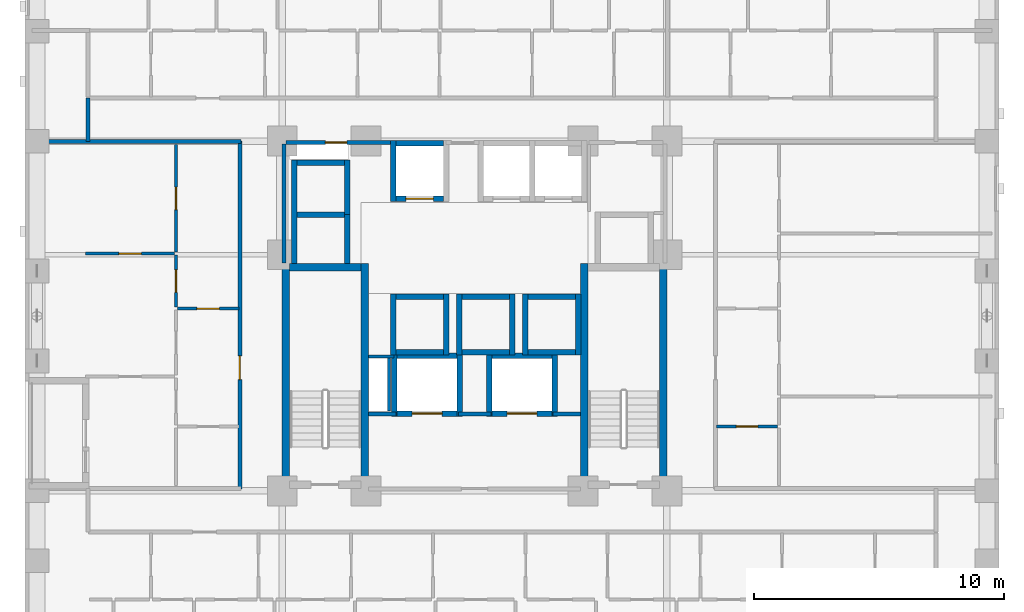
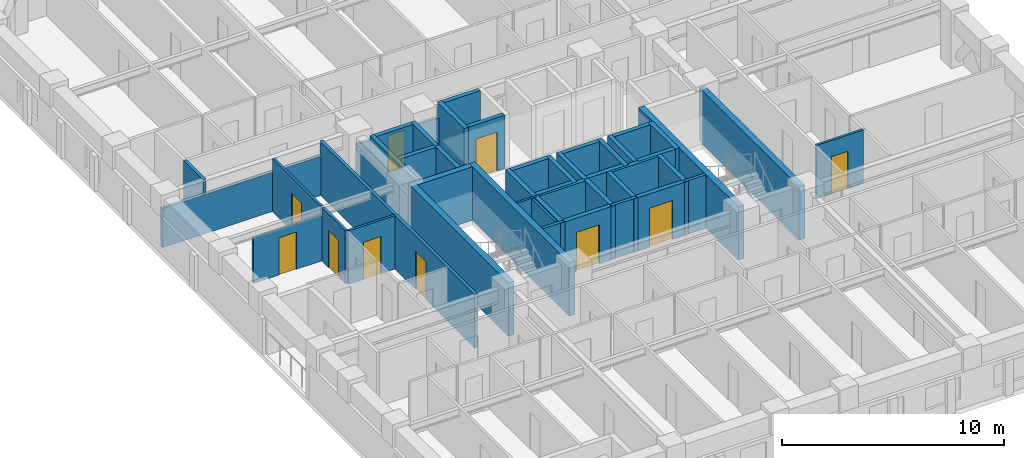
# One storey, part 5 of 14: 48 walls, 10 doors, 10 openings.
"""IFC4 building model written with IfcOpenShell, lengths in metres."""

import ifcopenshell
import ifcopenshell.guid

model = None  # the IFC model being written
_history = None  # IfcOwnerHistory: only IFC2X3 demands one
_inside = {}  # id of a spatial element -> (the spatial element, [elements in it])
_under = {}  # id of a project, library or spatial element -> (it, [spatial elements below it])
_declared = {}  # id of a project -> (the project, [libraries it declares])
_typed = {}  # id of a type object -> (the type object, [elements of that type])
_made_of = {}  # id of a material, layer set ... -> (it, [elements and type objects made of it])


def new_model(schema):
    """Start an empty IFC model of exactly this schema.

    Asked for "IFC4X3", IfcOpenShell would pick the latest addendum, in which some entities
    have other attributes; the version numbers below select the first issue.
    IFC2X3 requires an IfcOwnerHistory on every rooted entity: one is made here for all.
    """
    global model, _history
    if schema == "IFC4X3":
        model = ifcopenshell.file(schema_version=(4, 3, 0, 0))
    else:
        model = ifcopenshell.file(schema=schema)
    _inside.clear()
    _under.clear()
    _declared.clear()
    _typed.clear()
    _made_of.clear()
    _history = None
    if model.schema == "IFC2X3":
        org = make("IfcOrganization", Name="unknown")
        user = make(
            "IfcPersonAndOrganization",
            ThePerson=make("IfcPerson", FamilyName="unknown"),
            TheOrganization=org,
        )
        app = make(
            "IfcApplication",
            ApplicationDeveloper=org,
            Version="unknown",
            ApplicationFullName="unknown",
            ApplicationIdentifier="unknown",
        )
        _history = make(
            "IfcOwnerHistory",
            OwningUser=user,
            OwningApplication=app,
            ChangeAction="ADDED",
            CreationDate=0,
        )
    return model


def make(cls, **values):
    """One entity of the class cls with the attributes given. An attribute that is None is left unset."""
    return model.create_entity(
        cls, **{name: value for name, value in values.items() if value is not None}
    )


def rooted(cls, **values):
    """An entity with a GlobalId (a new one), such as an element, a storey or a relation."""
    return make(cls, GlobalId=ifcopenshell.guid.new(), OwnerHistory=_history, **values)


def si_unit(unit_type, name, prefix=None):
    """IfcSIUnit, for example si_unit("LENGTHUNIT", "METRE", prefix="MILLI")."""
    return make("IfcSIUnit", UnitType=unit_type, Prefix=prefix, Name=name)


def derived_unit(unit_type, elements):
    """IfcDerivedUnit: a product of units, each with its exponent."""
    return make(
        "IfcDerivedUnit",
        Elements=[
            make("IfcDerivedUnitElement", Unit=unit, Exponent=power)
            for unit, power in elements
        ],
        UnitType=unit_type,
    )


def assignment(units):
    """IfcUnitAssignment: the units of a project."""
    return None if units is None else make("IfcUnitAssignment", Units=units)


def point(xyz):
    """IfcCartesianPoint."""
    return None if xyz is None else make("IfcCartesianPoint", Coordinates=xyz)


def direction(xyz):
    """IfcDirection."""
    return None if xyz is None else make("IfcDirection", DirectionRatios=xyz)


def frame(location, z_axis=None, x_axis=None):
    """IfcAxis2Placement3D, a coordinate frame: its origin and axes. An axis left out is left unset."""
    return make(
        "IfcAxis2Placement3D",
        Location=point(location),
        Axis=direction(z_axis),
        RefDirection=direction(x_axis),
    )


def frame_2d(location, x_axis=None):
    """IfcAxis2Placement2D, a coordinate frame in the plane: its origin and x axis."""
    return make(
        "IfcAxis2Placement2D", Location=point(location), RefDirection=direction(x_axis)
    )


def origin():
    """The frame at (0, 0, 0) with its axes left unset."""
    return frame((0.0, 0.0, 0.0))


def place(relative_to, where):
    """IfcLocalPlacement: puts the frame where relative to a parent placement (None: the world)."""
    return make(
        "IfcLocalPlacement", PlacementRelTo=relative_to, RelativePlacement=where
    )


def context(
    kind, dimensions, precision=None, world=None, true_north=None, identifier=None
):
    """IfcGeometricRepresentationContext, for example the 3D "Model" context."""
    return make(
        "IfcGeometricRepresentationContext",
        ContextIdentifier=identifier,
        ContextType=kind,
        CoordinateSpaceDimension=dimensions,
        Precision=precision,
        WorldCoordinateSystem=world,
        TrueNorth=true_north,
    )


def subcontext(parent, identifier, kind, view, scale=None):
    """IfcGeometricRepresentationSubContext, for example "Body" below "Model"."""
    return make(
        "IfcGeometricRepresentationSubContext",
        ContextIdentifier=identifier,
        ContextType=kind,
        ParentContext=parent,
        TargetScale=scale,
        TargetView=view,
    )


def project(units=None, contexts=None):
    """IfcProject with its units and contexts."""
    return rooted(
        "IfcProject",
        Name="project",
        RepresentationContexts=contexts,
        UnitsInContext=assignment(units),
    )


def spatial(cls, under=None, at=None, **own):
    """A site, building, storey or space (cls), placed at a placement, below another one or the project."""
    s = rooted(cls, ObjectPlacement=at, **own)
    if under is not None:
        _under.setdefault(under.id(), (under, []))[1].append(s)
    return s


def profile(cls, at=None, kind="AREA", **sizes):
    """A parametric profile (cls). Its sizes go by their IFC names, for example OverallWidth=200.0."""
    return make(cls, ProfileType=kind, Position=at, **sizes)


def rectangle(**sizes):
    """IfcRectangleProfileDef."""
    return profile("IfcRectangleProfileDef", **sizes)


def extrude(swept, where, along, depth):
    """IfcExtrudedAreaSolid: the profile swept, set in the frame where, extruded along a direction by depth."""
    return make(
        "IfcExtrudedAreaSolid",
        SweptArea=swept,
        Position=where,
        ExtrudedDirection=direction(along),
        Depth=depth,
    )


def shape(context_of_items, identifier, shape_type, items):
    """IfcShapeRepresentation: the items that make up one representation, for example the "Body"."""
    return make(
        "IfcShapeRepresentation",
        ContextOfItems=context_of_items,
        RepresentationIdentifier=identifier,
        RepresentationType=shape_type,
        Items=items,
    )


def material(Name=None, Category=None):
    """IfcMaterial."""
    return make("IfcMaterial", Name=Name, Category=Category)


def layer(
    of_material, thickness, ventilated=None, Name=None, Category=None, Priority=None
):
    """IfcMaterialLayer: one layer of a wall or slab, of a material (None: an air gap)."""
    return make(
        "IfcMaterialLayer",
        Material=of_material,
        LayerThickness=thickness,
        IsVentilated=ventilated,
        Name=Name,
        Category=Category,
        Priority=Priority,
    )


def layer_set(layers, Name=None):
    """IfcMaterialLayerSet."""
    return make("IfcMaterialLayerSet", MaterialLayers=layers, LayerSetName=Name)


def made_of(thing, what):
    """Note that an element or type object is made of a material, layer set ...; save() writes the relation."""
    if what is not None:
        _made_of.setdefault(what.id(), (what, []))[1].append(thing)
    return thing


def type_object(cls, material=None, **own):
    """A type object (cls), such as IfcWallType, which elements share."""
    return made_of(rooted(cls, **own), material)


def element(
    cls,
    number,
    at=None,
    inside=None,
    cuts=None,
    type_object=None,
    material=None,
    context=None,
    identifier="Body",
    shape_type=None,
    held_by="IfcProductDefinitionShape",
    body=None,
    shapes=None,
    **own,
):
    """One element of the class cls, such as IfcWall. Its Tag is "e" and its number.

    at: its placement. inside: the storey or other place that contains it. cuts: it is an
    opening in that element (IfcRelVoidsElement). A single representation is given by context,
    identifier, shape_type and body (its items); several are given by shapes. held_by: the class
    of the entity that holds the representations. save() writes the other relations.
    """
    e = rooted(cls, Tag="e%d" % number, ObjectPlacement=at, **own)
    if body is not None:
        shapes = [shape(context, identifier, shape_type, body)]
    if shapes is not None:
        e.Representation = make(held_by, Representations=shapes)
    if inside is not None:
        _inside.setdefault(inside.id(), (inside, []))[1].append(e)
    if cuts is not None:
        rooted(
            "IfcRelVoidsElement", RelatingBuildingElement=cuts, RelatedOpeningElement=e
        )
    if type_object is not None:
        _typed.setdefault(type_object.id(), (type_object, []))[1].append(e)
    return made_of(e, material)


def fill(opening, filler):
    """IfcRelFillsElement: the door or window that sits in an opening."""
    return rooted(
        "IfcRelFillsElement",
        RelatingOpeningElement=opening,
        RelatedBuildingElement=filler,
    )


def aggregate(whole, parts):
    """IfcRelAggregates: a whole, such as a stair, and the parts it consists of."""
    return rooted("IfcRelAggregates", RelatingObject=whole, RelatedObjects=parts)


def save(model, path):
    """Write the relations noted so far, then the file.

    IfcRelAggregates (storeys below a building ...), IfcRelContainedInSpatialStructure (elements
    in a storey), IfcRelDefinesByType, IfcRelAssociatesMaterial and IfcRelDeclares: one each for
    every whole, place, type object, material and project.
    """
    for whole, parts in _under.values():
        aggregate(whole, parts)
    for where, things in _inside.values():
        rooted(
            "IfcRelContainedInSpatialStructure",
            RelatedElements=things,
            RelatingStructure=where,
        )
    for kind, things in _typed.values():
        rooted("IfcRelDefinesByType", RelatedObjects=things, RelatingType=kind)
    for what, things in _made_of.values():
        rooted("IfcRelAssociatesMaterial", RelatedObjects=things, RelatingMaterial=what)
    for by, libraries in _declared.values():
        rooted("IfcRelDeclares", RelatingContext=by, RelatedDefinitions=libraries)
    model.write(path)


model = new_model("IFC4")

# Units and contexts
model_context = context("Model", 3, precision=1e-05, world=origin(), true_north=direction((0.0, 1.0)))
body_context = subcontext(model_context, "Body", "Model", "MODEL_VIEW")
ifc_project = project(units=[si_unit("LENGTHUNIT", "METRE"), si_unit("AREAUNIT", "SQUARE_METRE"), si_unit("VOLUMEUNIT", "CUBIC_METRE"), si_unit("PLANEANGLEUNIT", "RADIAN"), si_unit("MASSUNIT", "GRAM", prefix="KILO"), derived_unit("THERMALTRANSMITTANCEUNIT", [(si_unit("MASSUNIT", "GRAM", prefix="KILO"), 1), (si_unit("TIMEUNIT", "SECOND"), -3), (si_unit("THERMODYNAMICTEMPERATUREUNIT", "KELVIN"), -1)])], contexts=[model_context])

# Site, building, storey
site_placement = place(None, origin())
site = spatial("IfcSite", under=ifc_project, at=site_placement, CompositionType="ELEMENT")
building_placement = place(site_placement, origin())
building = spatial("IfcBuilding", under=site, at=building_placement, Name="Korrvale Station Residences", CompositionType="ELEMENT")
storey_placement = place(building_placement, frame((0.0, 0.0, 29.0)))
storey = spatial("IfcBuildingStorey", under=building, at=storey_placement, Name="L06", CompositionType="ELEMENT", Elevation=29.0)

# Walls
ifc_material_1 = material(Name="Concrete C70/85", Category="concrete")
ifc_layer_1 = layer(ifc_material_1, 0.300048828125, Name="Concrete C70/85")
ifc_layer_set_1 = layer_set([ifc_layer_1], Name="Concrete C70/85")
wall_type_1 = type_object("IfcWallType", Name="WAL-CORE-300-C70", PredefinedType="SHEAR", material=ifc_layer_set_1)
for number, where, z_axis, x_axis, name in (
    (1, (17.949951171875, 15.10009765625, 0.0), (0.0, 0.0, 1.0), (0.0, 1.0, 0.0), "L06 ST-1 Core Shear Wall West"),
    (2, (21.10009765625, 15.10009765625, 0.0), (0.0, 0.0, 1.0), (0.0, 1.0, 0.0), "L06 ST-1 Core Shear Wall East"),
):
    element("IfcWall", number, at=place(storey_placement, frame(where, z_axis=z_axis, x_axis=x_axis)), inside=storey, type_object=wall_type_1, Name=name, PredefinedType="SHEAR", context=body_context, shape_type="SweptSolid", body=[
        extrude(rectangle(XDim=9.0, YDim=0.300048828125, at=frame_2d((4.5, 0.0))), origin(), (0.0, 0.0, 1.0), 2.93994140625),
    ])
wall_1_placement = place(storey_placement, frame((18.10009765625, 23.949951171875, 0.0), z_axis=(0.0, 0.0, 1.0), x_axis=(1.0, 0.0, 0.0)))
element("IfcWall", 3, at=wall_1_placement, inside=storey, type_object=wall_type_1, Name="L06 ST-1 Core Shear Wall North", PredefinedType="SHEAR", context=body_context, shape_type="SweptSolid", body=[
    extrude(rectangle(XDim=2.849853515625, YDim=0.300048828125, at=frame_2d((1.4248046875, 0.0))), origin(), (0.0, 0.0, 1.0), 2.93994140625),
])
for number, where, z_axis, x_axis, name in (
    (4, (29.89990234375, 15.10009765625, 0.0), (0.0, 0.0, 1.0), (0.0, 1.0, 0.0), "L06 ST-2 Core Shear Wall West"),
    (5, (33.050048828125, 15.10009765625, 0.0), (0.0, 0.0, 1.0), (0.0, 1.0, 0.0), "L06 ST-2 Core Shear Wall East"),
):
    element("IfcWall", number, at=place(storey_placement, frame(where, z_axis=z_axis, x_axis=x_axis)), inside=storey, type_object=wall_type_1, Name=name, PredefinedType="SHEAR", context=body_context, shape_type="SweptSolid", body=[
        extrude(rectangle(XDim=9.0, YDim=0.300048828125, at=frame_2d((4.5, 0.0))), origin(), (0.0, 0.0, 1.0), 2.93994140625),
    ])
ifc_material_2 = material(Name="Acoustic steel-stud gypsum board partition", Category="steel")
ifc_layer_2 = layer(ifc_material_2, 0.1201171875, Name="Acoustic steel-stud gypsum board partition")
ifc_layer_set_2 = layer_set([ifc_layer_2], Name="Acoustic steel-stud gypsum board partition")
wall_type_2 = type_object("IfcWallType", Name="WAL-PART-125", PredefinedType="PARTITIONING", material=ifc_layer_set_2)
wall_2_placement = place(storey_placement, frame((22.080078125, 18.199951171875, 0.0), z_axis=(0.0, 0.0, 1.0), x_axis=(0.0, 1.0, 0.0)))
element("IfcWall", 6, at=wall_2_placement, inside=storey, type_object=wall_type_2, Name="L06 Core Partition CW-RSWT", PredefinedType="PARTITIONING", context=body_context, shape_type="SweptSolid", body=[
    extrude(rectangle(XDim=2.1201171875, YDim=0.1201171875, at=frame_2d((1.06005859375, 0.0))), origin(), (0.0, 0.0, 1.0), 2.93994140625),
])
wall_3_placement = place(storey_placement, frame((22.280029296875, 20.3798828125, 0.0), z_axis=(0.0, 0.0, 1.0), x_axis=(-1.0, 0.0, 0.0)))
element("IfcWall", 7, at=wall_3_placement, inside=storey, type_object=wall_type_2, Name="L06 Core Partition CW-RSWT-N", PredefinedType="PARTITIONING", context=body_context, shape_type="SweptSolid", body=[
    extrude(rectangle(XDim=1.02001953125, YDim=0.1201171875, at=frame_2d((0.510009765625, 0.0))), origin(), (0.0, 0.0, 1.0), 2.93994140625),
])

# Wall, opening, door
wall_4_placement = place(storey_placement, frame((13.610107421875, 22.2900390625, 0.0), z_axis=(0.0, 0.0, 1.0), x_axis=(1.0, 0.0, 0.0)))
wall_4 = element("IfcWall", 8, at=wall_4_placement, inside=storey, type_object=wall_type_2, Name="L06 Suite Partition U04-H02", PredefinedType="PARTITIONING", context=body_context, shape_type="SweptSolid", body=[
    extrude(rectangle(XDim=2.449951171875, YDim=0.1201171875, at=frame_2d((1.22509765625, 0.0))), origin(), (0.0, 0.0, 1.0), 2.93994140625),
])
opening_1_placement = place(wall_4_placement, frame((0.77490234375, 0.0, 0.0)))
opening_1 = element("IfcOpeningElement", 9, at=opening_1_placement, cuts=wall_4, Name="Opening DI-900", PredefinedType="OPENING", context=body_context, shape_type="SweptSolid", body=[
    extrude(rectangle(XDim=0.89990234375, YDim=2.050048828125, at=frame_2d((0.449951171875, 1.02490234375))), frame((0.0, 0.070068359375, 0.0), z_axis=(0.0, -1.0, 0.0), x_axis=(1.0, 0.0, 0.0)), (0.0, 0.0, 1.0), 0.14013671875),
])
ifc_material_3 = material(Name="Painted solid-core timber interior room door", Category="wood")
door_type_1 = type_object("IfcDoorType", Name="DR-INT-900", OperationType="NOTDEFINED", PredefinedType="DOOR", material=ifc_material_3)
door_1_placement = place(opening_1_placement, origin())
door_1 = element("IfcDoor", 10, at=door_1_placement, inside=storey, type_object=door_type_1, Name="L06 Apartment 2BR L06-U04 Wardrobe Storage Room Door", OperationType="SINGLE_SWING_RIGHT", OverallHeight=2.050048828125, OverallWidth=0.89990234375, PredefinedType="DOOR", context=body_context, shape_type="SweptSolid", body=[
    extrude(rectangle(XDim=0.89990234375, YDim=2.050048828125, at=frame_2d((0.449951171875, 1.02490234375))), frame((0.0, 0.02490234375, 0.0), z_axis=(0.0, -1.0, 0.0), x_axis=(1.0, 0.0, 0.0)), (0.0, 0.0, 1.0), 0.050048828125),
])
fill(opening_1, door_1)

wall_5_placement = place(storey_placement, frame((13.550048828125, 22.35009765625, 0.0), z_axis=(0.0, 0.0, 1.0), x_axis=(0.0, 1.0, 0.0)))
wall_5 = element("IfcWall", 11, at=wall_5_placement, inside=storey, type_object=wall_type_2, Name="L06 Suite Partition U04-V04", PredefinedType="PARTITIONING", context=body_context, shape_type="SweptSolid", body=[
    extrude(rectangle(XDim=2.081787109375, YDim=0.1201171875, at=frame_2d((1.041015625, 0.0))), origin(), (0.0, 0.0, 1.0), 2.93994140625),
])
opening_2_placement = place(wall_5_placement, frame((0.591064453125, 0.0, 0.0)))
opening_2 = element("IfcOpeningElement", 12, at=opening_2_placement, cuts=wall_5, Name="Opening DI-900", PredefinedType="OPENING", context=body_context, shape_type="SweptSolid", body=[
    extrude(rectangle(XDim=0.89990234375, YDim=2.050048828125, at=frame_2d((0.449951171875, 1.02490234375))), frame((0.0, 0.070068359375, 0.0), z_axis=(0.0, -1.0, 0.0), x_axis=(1.0, 0.0, 0.0)), (0.0, 0.0, 1.0), 0.14013671875),
])
door_2_placement = place(opening_2_placement, origin())
door_2 = element("IfcDoor", 13, at=door_2_placement, inside=storey, type_object=door_type_1, Name="L06 Apartment 2BR L06-U04 Wardrobe Storage Room Door", OperationType="SINGLE_SWING_LEFT", OverallHeight=2.050048828125, OverallWidth=0.89990234375, PredefinedType="DOOR", context=body_context, shape_type="SweptSolid", body=[
    extrude(rectangle(XDim=0.89990234375, YDim=2.050048828125, at=frame_2d((0.449951171875, 1.02490234375))), frame((0.0, 0.02490234375, 0.0), z_axis=(0.0, -1.0, 0.0), x_axis=(1.0, 0.0, 0.0)), (0.0, 0.0, 1.0), 0.050048828125),
])
fill(opening_2, door_2)

wall_6_placement = place(storey_placement, frame((13.550048828125, 24.552001953125, 0.0), z_axis=(0.0, 0.0, 1.0), x_axis=(0.0, 1.0, 0.0)))
wall_6 = element("IfcWall", 14, at=wall_6_placement, inside=storey, type_object=wall_type_2, Name="L06 Suite Partition U04-V05", PredefinedType="PARTITIONING", context=body_context, shape_type="SweptSolid", body=[
    extrude(rectangle(XDim=4.30810546875, YDim=0.1201171875, at=frame_2d((2.154052734375, 0.0))), origin(), (0.0, 0.0, 1.0), 2.93994140625),
])
opening_3_placement = place(wall_6_placement, frame((1.7041015625, 0.0, 0.0)))
opening_3 = element("IfcOpeningElement", 15, at=opening_3_placement, cuts=wall_6, Name="Opening DI-900", PredefinedType="OPENING", context=body_context, shape_type="SweptSolid", body=[
    extrude(rectangle(XDim=0.89990234375, YDim=2.050048828125, at=frame_2d((0.449951171875, 1.02490234375))), frame((0.0, 0.070068359375, 0.0), z_axis=(0.0, -1.0, 0.0), x_axis=(1.0, 0.0, 0.0)), (0.0, 0.0, 1.0), 0.14013671875),
])
door_3_placement = place(opening_3_placement, origin())
door_3 = element("IfcDoor", 16, at=door_3_placement, inside=storey, type_object=door_type_1, Name="L06 Apartment 2BR L06-U04 Wardrobe Storage Room Door", OperationType="SINGLE_SWING_RIGHT", OverallHeight=2.050048828125, OverallWidth=0.89990234375, PredefinedType="DOOR", context=body_context, shape_type="SweptSolid", body=[
    extrude(rectangle(XDim=0.89990234375, YDim=2.050048828125, at=frame_2d((0.449951171875, 1.02490234375))), frame((0.0, 0.02490234375, 0.0), z_axis=(0.0, -1.0, 0.0), x_axis=(1.0, 0.0, 0.0)), (0.0, 0.0, 1.0), 0.050048828125),
])
fill(opening_3, door_3)

wall_7_placement = place(storey_placement, frame((9.929931640625, 24.491943359375, 0.0), z_axis=(0.0, 0.0, 1.0), x_axis=(1.0, 0.0, 0.0)))
wall_7 = element("IfcWall", 17, at=wall_7_placement, inside=storey, type_object=wall_type_2, Name="L06 Suite Partition U04-H45", PredefinedType="PARTITIONING", context=body_context, shape_type="SweptSolid", body=[
    extrude(rectangle(XDim=3.56005859375, YDim=0.1201171875, at=frame_2d((1.780029296875, 0.0))), origin(), (0.0, 0.0, 1.0), 2.508056640625),
])
opening_4_placement = place(wall_7_placement, frame((1.330078125, 0.0, 0.0)))
opening_4 = element("IfcOpeningElement", 18, at=opening_4_placement, cuts=wall_7, Name="Opening DI-900", PredefinedType="OPENING", context=body_context, shape_type="SweptSolid", body=[
    extrude(rectangle(XDim=0.89990234375, YDim=2.050048828125, at=frame_2d((0.449951171875, 1.02490234375))), frame((0.0, 0.070068359375, 0.0), z_axis=(0.0, -1.0, 0.0), x_axis=(1.0, 0.0, 0.0)), (0.0, 0.0, 1.0), 0.14013671875),
])
door_4_placement = place(opening_4_placement, origin())
door_4 = element("IfcDoor", 19, at=door_4_placement, inside=storey, type_object=door_type_1, Name="L06 Apartment 2BR L06-U04 Living and Dining Room Door", OperationType="SINGLE_SWING_LEFT", OverallHeight=2.050048828125, OverallWidth=0.89990234375, PredefinedType="DOOR", context=body_context, shape_type="SweptSolid", body=[
    extrude(rectangle(XDim=0.89990234375, YDim=2.050048828125, at=frame_2d((0.449951171875, 1.02490234375))), frame((0.0, 0.02490234375, 0.0), z_axis=(0.0, -1.0, 0.0), x_axis=(1.0, 0.0, 0.0)), (0.0, 0.0, 1.0), 0.050048828125),
])
fill(opening_4, door_4)

wall_8_placement = place(storey_placement, frame((35.18994140625, 17.570068359375, 0.0), z_axis=(0.0, 0.0, 1.0), x_axis=(1.0, 0.0, 0.0)))
wall_8 = element("IfcWall", 20, at=wall_8_placement, inside=storey, type_object=wall_type_2, Name="L06 Suite Partition U05-H12", PredefinedType="PARTITIONING", context=body_context, shape_type="SweptSolid", body=[
    extrude(rectangle(XDim=2.449951171875, YDim=0.1201171875, at=frame_2d((1.22509765625, 0.0))), origin(), (0.0, 0.0, 1.0), 2.93994140625),
])
opening_5_placement = place(wall_8_placement, frame((0.794921875, 0.0, 0.0)))
opening_5 = element("IfcOpeningElement", 21, at=opening_5_placement, cuts=wall_8, Name="Opening DB-860", PredefinedType="OPENING", context=body_context, shape_type="SweptSolid", body=[
    extrude(rectangle(XDim=0.860107421875, YDim=2.050048828125, at=frame_2d((0.43017578125, 1.02490234375))), frame((0.0, 0.070068359375, 0.0), z_axis=(0.0, -1.0, 0.0), x_axis=(1.0, 0.0, 0.0)), (0.0, 0.0, 1.0), 0.14013671875),
])
ifc_material_4 = material(Name="Moisture-resistant solid-core bathroom door", Category="timber")
door_type_2 = type_object("IfcDoorType", Name="DR-BATH-860", OperationType="NOTDEFINED", PredefinedType="DOOR", material=ifc_material_4)
door_5_placement = place(opening_5_placement, origin())
door_5 = element("IfcDoor", 22, at=door_5_placement, inside=storey, type_object=door_type_2, Name="L06 Apartment 2BR L06-U05 Bathroom Door", OperationType="SINGLE_SWING_LEFT", OverallHeight=2.050048828125, OverallWidth=0.860107421875, PredefinedType="DOOR", context=body_context, shape_type="SweptSolid", body=[
    extrude(rectangle(XDim=0.860107421875, YDim=2.050048828125, at=frame_2d((0.43017578125, 1.02490234375))), frame((0.0, 0.02490234375, 0.0), z_axis=(0.0, -1.0, 0.0), x_axis=(1.0, 0.0, 0.0)), (0.0, 0.0, 1.0), 0.050048828125),
])
fill(opening_5, door_5)

# Walls
ifc_material_5 = material(Name="Fire-rated twin-stud gypsum and mineral wool shaftwall assembly", Category="gypsum")
ifc_layer_3 = layer(ifc_material_5, 0.159912109375, Name="Fire-rated twin-stud gypsum and mineral wool shaftwall assembly")
ifc_layer_set_3 = layer_set([ifc_layer_3], Name="Fire-rated twin-stud gypsum and mineral wool shaftwall assembly")
wall_type_3 = type_object("IfcWallType", Name="WAL-PART-200", PredefinedType="PARTITIONING", material=ifc_layer_set_3)
wall_9_placement = place(storey_placement, frame((21.25, 18.080078125, 0.0), z_axis=(0.0, 0.0, 1.0), x_axis=(1.0, 0.0, 0.0)))
element("IfcWall", 23, at=wall_9_placement, inside=storey, type_object=wall_type_3, Name="L06 Core Partition CW-FFL-N1", PredefinedType="PARTITIONING", context=body_context, shape_type="SweptSolid", body=[
    extrude(rectangle(XDim=1.10009765625, YDim=0.159912109375, at=frame_2d((0.550048828125, 0.0))), origin(), (0.0, 0.0, 1.0), 2.93994140625),
])
wall_10_placement = place(storey_placement, frame((24.85009765625, 18.080078125, 0.0), z_axis=(0.0, 0.0, 1.0), x_axis=(1.0, 0.0, 0.0)))
element("IfcWall", 24, at=wall_10_placement, inside=storey, type_object=wall_type_3, Name="L06 Core Partition CW-FFL-N2", PredefinedType="PARTITIONING", context=body_context, shape_type="SweptSolid", body=[
    extrude(rectangle(XDim=1.2998046875, YDim=0.159912109375, at=frame_2d((0.64990234375, 0.0))), origin(), (0.0, 0.0, 1.0), 2.93994140625),
])
wall_11_placement = place(storey_placement, frame((28.64990234375, 18.080078125, 0.0), z_axis=(0.0, 0.0, 1.0), x_axis=(1.0, 0.0, 0.0)))
element("IfcWall", 25, at=wall_11_placement, inside=storey, type_object=wall_type_3, Name="L06 Core Partition CW-FFL-N3", PredefinedType="PARTITIONING", context=body_context, shape_type="SweptSolid", body=[
    extrude(rectangle(XDim=1.10009765625, YDim=0.159912109375, at=frame_2d((0.550048828125, 0.0))), origin(), (0.0, 0.0, 1.0), 2.93994140625),
])
wall_12_placement = place(storey_placement, frame((17.8798828125, 24.1201171875, 0.0), z_axis=(0.0, 0.0, 1.0), x_axis=(0.0, 1.0, 0.0)))
element("IfcWall", 26, at=wall_12_placement, inside=storey, type_object=wall_type_3, Name="L06 Core Partition CW-W-N", PredefinedType="PARTITIONING", context=body_context, shape_type="SweptSolid", body=[
    extrude(rectangle(XDim=4.759765625, YDim=0.159912109375, at=frame_2d((2.3798828125, 0.0))), origin(), (0.0, 0.0, 1.0), 2.27490234375),
])

# Wall, opening, door
wall_13_placement = place(storey_placement, frame((17.9599609375, 28.949951171875, 0.0), z_axis=(0.0, 0.0, 1.0), x_axis=(1.0, 0.0, 0.0)))
wall_13 = element("IfcWall", 27, at=wall_13_placement, inside=storey, type_object=wall_type_3, Name="L06 Core Partition CW-NW", PredefinedType="PARTITIONING", context=body_context, shape_type="SweptSolid", body=[
    extrude(rectangle(XDim=4.2900390625, YDim=0.159912109375, at=frame_2d((2.14501953125, 0.0))), origin(), (0.0, 0.0, 1.0), 2.155029296875),
])
opening_6_placement = place(wall_13_placement, frame((1.570068359375, 0.0, 0.0)))
opening_6 = element("IfcOpeningElement", 28, at=opening_6_placement, cuts=wall_13, Name="Opening DB-860", PredefinedType="OPENING", context=body_context, shape_type="SweptSolid", body=[
    extrude(rectangle(XDim=0.860107421875, YDim=2.050048828125, at=frame_2d((0.43017578125, 1.02490234375))), frame((0.0, 0.08984375, 0.0), z_axis=(0.0, -1.0, 0.0), x_axis=(1.0, 0.0, 0.0)), (0.0, 0.0, 1.0), 0.179931640625),
])
door_6_placement = place(opening_6_placement, origin())
door_6 = element("IfcDoor", 29, at=door_6_placement, inside=storey, type_object=door_type_2, Name="L06 Electrical Riser Access Door", OperationType="SINGLE_SWING_RIGHT", OverallHeight=2.050048828125, OverallWidth=0.860107421875, PredefinedType="DOOR", context=body_context, shape_type="SweptSolid", body=[
    extrude(rectangle(XDim=0.860107421875, YDim=2.050048828125, at=frame_2d((0.43017578125, 1.02490234375))), frame((0.0, 0.02490234375, 0.0), z_axis=(0.0, -1.0, 0.0), x_axis=(1.0, 0.0, 0.0)), (0.0, 0.0, 1.0), 0.050048828125),
])
fill(opening_6, door_6)

# Walls
wall_14_placement = place(storey_placement, frame((10.02001953125, 28.97998046875, 0.0), z_axis=(0.0, 0.0, 1.0), x_axis=(0.0, 1.0, 0.0)))
element("IfcWall", 30, at=wall_14_placement, inside=storey, type_object=wall_type_3, Name="L06 Corridor North West Cap", PredefinedType="PARTITIONING", context=body_context, shape_type="SweptSolid", body=[
    extrude(rectangle(XDim=1.739990234375, YDim=0.159912109375, at=frame_2d((0.8701171875, 0.0))), origin(), (0.0, 0.0, 1.0), 2.93994140625),
])
wall_15_placement = place(storey_placement, frame((7.780029296875, 28.97998046875, 0.0), z_axis=(0.0, 0.0, 1.0), x_axis=(1.0, 0.0, 0.0)))
element("IfcWall", 31, at=wall_15_placement, inside=storey, type_object=wall_type_3, Name="L06 West Wing North Corridor Wall", PredefinedType="PARTITIONING", context=body_context, shape_type="SweptSolid", body=[
    extrude(rectangle(XDim=8.35986328125, YDim=0.159912109375, at=frame_2d((4.179931640625, 0.0))), origin(), (0.0, 0.0, 1.0), 2.155029296875),
])

# Wall, opening, door
wall_16_placement = place(storey_placement, frame((16.10009765625, 15.070068359375, 0.0), z_axis=(0.0, 0.0, 1.0), x_axis=(0.0, 1.0, 0.0)))
wall_16 = element("IfcWall", 32, at=wall_16_placement, inside=storey, type_object=wall_type_3, Name="L06 Rated Corridor Wall W", PredefinedType="PARTITIONING", context=body_context, shape_type="SweptSolid", body=[
    extrude(rectangle(XDim=13.929931640625, YDim=0.159912109375, at=frame_2d((6.96484375, 0.0))), origin(), (0.0, 0.0, 1.0), 2.93994140625),
])
opening_7_placement = place(wall_16_placement, frame((4.385009765625, 0.0, 0.0)))
opening_7 = element("IfcOpeningElement", 33, at=opening_7_placement, cuts=wall_16, Name="Opening UD-950", PredefinedType="OPENING", context=body_context, shape_type="SweptSolid", body=[
    extrude(rectangle(XDim=0.949951171875, YDim=2.10009765625, at=frame_2d((0.47509765625, 1.050048828125))), frame((0.0, 0.08984375, 0.0), z_axis=(0.0, -1.0, 0.0), x_axis=(1.0, 0.0, 0.0)), (0.0, 0.0, 1.0), 0.179931640625),
])
ifc_material_6 = material(Name="Solid-core acoustic oak apartment entrance door", Category="timber")
door_type_3 = type_object("IfcDoorType", Name="DR-UNIT-950", OperationType="NOTDEFINED", PredefinedType="DOOR", material=ifc_material_6)
door_7_placement = place(opening_7_placement, origin())
door_7 = element("IfcDoor", 34, at=door_7_placement, inside=storey, type_object=door_type_3, Name="L06 Apartment L06-U04 Entrance Door", OperationType="SINGLE_SWING_RIGHT", OverallHeight=2.10009765625, OverallWidth=0.949951171875, PredefinedType="DOOR", context=body_context, shape_type="SweptSolid", body=[
    extrude(rectangle(XDim=0.949951171875, YDim=2.10009765625, at=frame_2d((0.47509765625, 1.050048828125))), frame((0.0, 0.02490234375, 0.0), z_axis=(0.0, -1.0, 0.0), x_axis=(1.0, 0.0, 0.0)), (0.0, 0.0, 1.0), 0.050048828125),
])
fill(opening_7, door_7)

ifc_layer_4 = layer(ifc_material_1, 0.219970703125, Name="Concrete C70/85")
ifc_layer_set_4 = layer_set([ifc_layer_4], Name="Concrete C70/85")
wall_type_4 = type_object("IfcWallType", Name="WAL-SHAFT-220-C70", PredefinedType="SHEAR", material=ifc_layer_set_4)
wall_17_placement = place(storey_placement, frame((22.35009765625, 26.68994140625, 0.0), z_axis=(0.0, 0.0, 1.0), x_axis=(1.0, 0.0, 0.0)))
wall_17 = element("IfcWall", 35, at=wall_17_placement, inside=storey, type_object=wall_type_4, Name="L06 Elevator PL-1 Hoistway Wall South", PredefinedType="SHEAR", context=body_context, shape_type="SweptSolid", body=[
    extrude(rectangle(XDim=1.89990234375, YDim=0.219970703125, at=frame_2d((0.949951171875, 0.0))), origin(), (0.0, 0.0, 1.0), 2.93994140625),
])
opening_8_placement = place(wall_17_placement, frame((0.39990234375, 0.0, 0.0)))
opening_8 = element("IfcOpeningElement", 36, at=opening_8_placement, cuts=wall_17, Name="Opening LD-1100", PredefinedType="OPENING", context=body_context, shape_type="SweptSolid", body=[
    extrude(rectangle(XDim=1.10009765625, YDim=2.14990234375, at=frame_2d((0.550048828125, 1.074951171875))), frame((0.0, 0.1201171875, 0.0), z_axis=(0.0, -1.0, 0.0), x_axis=(1.0, 0.0, 0.0)), (0.0, 0.0, 1.0), 0.239990234375),
])
ifc_material_7 = material(Name="Brushed stainless-steel elevator landing sliding door", Category="steel")
door_type_4 = type_object("IfcDoorType", Name="DR-LIFT-1100", OperationType="SLIDING_TO_LEFT", PredefinedType="DOOR", material=ifc_material_7)
door_8_placement = place(opening_8_placement, origin())
door_8 = element("IfcDoor", 37, at=door_8_placement, inside=storey, type_object=door_type_4, Name="L06 Elevator PL-1 Sliding Landing Door", OperationType="SLIDING_TO_LEFT", OverallHeight=2.14990234375, OverallWidth=1.10009765625, PredefinedType="DOOR", context=body_context, shape_type="SweptSolid", body=[
    extrude(rectangle(XDim=1.10009765625, YDim=2.14990234375, at=frame_2d((0.550048828125, 1.074951171875))), frame((0.0, 0.02490234375, 0.0), z_axis=(0.0, -1.0, 0.0), x_axis=(1.0, 0.0, 0.0)), (0.0, 0.0, 1.0), 0.050048828125),
])
fill(opening_8, door_8)

# Walls
wall_18_placement = place(storey_placement, frame((22.35009765625, 28.909912109375, 0.0), z_axis=(0.0, 0.0, 1.0), x_axis=(1.0, 0.0, 0.0)))
element("IfcWall", 38, at=wall_18_placement, inside=storey, type_object=wall_type_4, Name="L06 Elevator PL-1 Hoistway Wall North", PredefinedType="SHEAR", context=body_context, shape_type="SweptSolid", body=[
    extrude(rectangle(XDim=1.89990234375, YDim=0.219970703125, at=frame_2d((0.949951171875, 0.0))), origin(), (0.0, 0.0, 1.0), 2.93994140625),
])
wall_19_placement = place(storey_placement, frame((22.239990234375, 26.580078125, 0.0), z_axis=(0.0, 0.0, 1.0), x_axis=(0.0, 1.0, 0.0)))
element("IfcWall", 39, at=wall_19_placement, inside=storey, type_object=wall_type_4, Name="L06 Elevator PL-1 Hoistway Wall West", PredefinedType="SHEAR", context=body_context, shape_type="SweptSolid", body=[
    extrude(rectangle(XDim=2.43994140625, YDim=0.219970703125, at=frame_2d((1.219970703125, 0.0))), origin(), (0.0, 0.0, 1.0), 2.93994140625),
])
for number, where, z_axis, x_axis, name in (
    (40, (22.35009765625, 20.5400390625, 0.0), (0.0, 0.0, 1.0), (1.0, 0.0, 0.0), "L06 Elevator PM-1 Hoistway Wall South"),
    (41, (22.35009765625, 22.760009765625, 0.0), (0.0, 0.0, 1.0), (1.0, 0.0, 0.0), "L06 Elevator PM-1 Hoistway Wall North"),
):
    element("IfcWall", number, at=place(storey_placement, frame(where, z_axis=z_axis, x_axis=x_axis)), inside=storey, type_object=wall_type_4, Name=name, PredefinedType="SHEAR", context=body_context, shape_type="SweptSolid", body=[
        extrude(rectangle(XDim=1.89990234375, YDim=0.219970703125, at=frame_2d((0.949951171875, 0.0))), origin(), (0.0, 0.0, 1.0), 2.93994140625),
    ])
for number, where, z_axis, x_axis, name in (
    (42, (22.239990234375, 20.429931640625, 0.0), (0.0, 0.0, 1.0), (0.0, 1.0, 0.0), "L06 Elevator PM-1 Hoistway Wall West"),
    (43, (24.360107421875, 20.429931640625, 0.0), (0.0, 0.0, 1.0), (0.0, 1.0, 0.0), "L06 Elevator PM-1 Hoistway Wall East"),
):
    element("IfcWall", number, at=place(storey_placement, frame(where, z_axis=z_axis, x_axis=x_axis)), inside=storey, type_object=wall_type_4, Name=name, PredefinedType="SHEAR", context=body_context, shape_type="SweptSolid", body=[
        extrude(rectangle(XDim=2.440185546875, YDim=0.219970703125, at=frame_2d((1.22021484375, 0.0))), origin(), (0.0, 0.0, 1.0), 2.93994140625),
    ])
for number, where, z_axis, x_axis, name in (
    (44, (25.0, 20.5400390625, 0.0), (0.0, 0.0, 1.0), (1.0, 0.0, 0.0), "L06 Elevator PM-2 Hoistway Wall South"),
    (45, (25.0, 22.760009765625, 0.0), (0.0, 0.0, 1.0), (1.0, 0.0, 0.0), "L06 Elevator PM-2 Hoistway Wall North"),
):
    element("IfcWall", number, at=place(storey_placement, frame(where, z_axis=z_axis, x_axis=x_axis)), inside=storey, type_object=wall_type_4, Name=name, PredefinedType="SHEAR", context=body_context, shape_type="SweptSolid", body=[
        extrude(rectangle(XDim=1.89990234375, YDim=0.219970703125, at=frame_2d((0.949951171875, 0.0))), origin(), (0.0, 0.0, 1.0), 2.93994140625),
    ])
for number, where, z_axis, x_axis, name in (
    (46, (24.889892578125, 20.429931640625, 0.0), (0.0, 0.0, 1.0), (0.0, 1.0, 0.0), "L06 Elevator PM-2 Hoistway Wall West"),
    (47, (27.010009765625, 20.429931640625, 0.0), (0.0, 0.0, 1.0), (0.0, 1.0, 0.0), "L06 Elevator PM-2 Hoistway Wall East"),
):
    element("IfcWall", number, at=place(storey_placement, frame(where, z_axis=z_axis, x_axis=x_axis)), inside=storey, type_object=wall_type_4, Name=name, PredefinedType="SHEAR", context=body_context, shape_type="SweptSolid", body=[
        extrude(rectangle(XDim=2.440185546875, YDim=0.219970703125, at=frame_2d((1.22021484375, 0.0))), origin(), (0.0, 0.0, 1.0), 2.93994140625),
    ])
for number, where, z_axis, x_axis, name in (
    (48, (27.64990234375, 20.5400390625, 0.0), (0.0, 0.0, 1.0), (1.0, 0.0, 0.0), "L06 Elevator PM-3 Hoistway Wall South"),
    (49, (27.64990234375, 22.760009765625, 0.0), (0.0, 0.0, 1.0), (1.0, 0.0, 0.0), "L06 Elevator PM-3 Hoistway Wall North"),
):
    element("IfcWall", number, at=place(storey_placement, frame(where, z_axis=z_axis, x_axis=x_axis)), inside=storey, type_object=wall_type_4, Name=name, PredefinedType="SHEAR", context=body_context, shape_type="SweptSolid", body=[
        extrude(rectangle(XDim=1.900146484375, YDim=0.219970703125, at=frame_2d((0.9501953125, 0.0))), origin(), (0.0, 0.0, 1.0), 2.93994140625),
    ])
for number, where, z_axis, x_axis, name in (
    (50, (27.5400390625, 20.429931640625, 0.0), (0.0, 0.0, 1.0), (0.0, 1.0, 0.0), "L06 Elevator PM-3 Hoistway Wall West"),
    (51, (29.659912109375, 20.429931640625, 0.0), (0.0, 0.0, 1.0), (0.0, 1.0, 0.0), "L06 Elevator PM-3 Hoistway Wall East"),
):
    element("IfcWall", number, at=place(storey_placement, frame(where, z_axis=z_axis, x_axis=x_axis)), inside=storey, type_object=wall_type_4, Name=name, PredefinedType="SHEAR", context=body_context, shape_type="SweptSolid", body=[
        extrude(rectangle(XDim=2.440185546875, YDim=0.219970703125, at=frame_2d((1.22021484375, 0.0))), origin(), (0.0, 0.0, 1.0), 2.93994140625),
    ])
wall_20_placement = place(storey_placement, frame((18.2900390625, 24.10009765625, 0.0), z_axis=(0.0, 0.0, 1.0), x_axis=(0.0, 1.0, 0.0)))
element("IfcWall", 52, at=wall_20_placement, inside=storey, type_object=wall_type_4, Name="L06 Elevator PH-1 Hoistway Wall West", PredefinedType="SHEAR", context=body_context, shape_type="SweptSolid", body=[
    extrude(rectangle(XDim=4.139892578125, YDim=0.219970703125, at=frame_2d((2.06982421875, 0.0))), origin(), (0.0, 0.0, 1.0), 2.93994140625),
])
wall_21_placement = place(storey_placement, frame((20.409912109375, 24.10009765625, 0.0), z_axis=(0.0, 0.0, 1.0), x_axis=(0.0, 1.0, 0.0)))
element("IfcWall", 53, at=wall_21_placement, inside=storey, type_object=wall_type_4, Name="L06 Elevator PH-1 Hoistway Wall East", PredefinedType="SHEAR", context=body_context, shape_type="SweptSolid", body=[
    extrude(rectangle(XDim=1.9599609375, YDim=0.219970703125, at=frame_2d((0.97998046875, 0.0))), origin(), (0.0, 0.0, 1.0), 2.93994140625),
])
for number, where, z_axis, x_axis, name in (
    (54, (18.39990234375, 26.06005859375, 0.0), (0.0, 0.0, 1.0), (1.0, 0.0, 0.0), "L06 Elevator PH-2 Hoistway Wall South"),
    (55, (18.39990234375, 28.1298828125, 0.0), (0.0, 0.0, 1.0), (1.0, 0.0, 0.0), "L06 Elevator PH-2 Hoistway Wall North"),
):
    element("IfcWall", number, at=place(storey_placement, frame(where, z_axis=z_axis, x_axis=x_axis)), inside=storey, type_object=wall_type_4, Name=name, PredefinedType="SHEAR", context=body_context, shape_type="SweptSolid", body=[
        extrude(rectangle(XDim=1.900146484375, YDim=0.219970703125, at=frame_2d((0.9501953125, 0.0))), origin(), (0.0, 0.0, 1.0), 2.93994140625),
    ])
wall_22_placement = place(storey_placement, frame((20.409912109375, 26.06005859375, 0.0), z_axis=(0.0, 0.0, 1.0), x_axis=(0.0, 1.0, 0.0)))
element("IfcWall", 56, at=wall_22_placement, inside=storey, type_object=wall_type_4, Name="L06 Elevator PH-2 Hoistway Wall East", PredefinedType="SHEAR", context=body_context, shape_type="SweptSolid", body=[
    extrude(rectangle(XDim=2.179931640625, YDim=0.219970703125, at=frame_2d((1.08984375, 0.0))), origin(), (0.0, 0.0, 1.0), 2.93994140625),
])

# Wall, opening, door
wall_23_placement = place(storey_placement, frame((22.39990234375, 18.090087890625, 0.0), z_axis=(0.0, 0.0, 1.0), x_axis=(1.0, 0.0, 0.0)))
wall_23 = element("IfcWall", 57, at=wall_23_placement, inside=storey, type_object=wall_type_4, Name="L06 Elevator FFL-1 Hoistway Wall South", PredefinedType="SHEAR", context=body_context, shape_type="SweptSolid", body=[
    extrude(rectangle(XDim=2.400146484375, YDim=0.219970703125, at=frame_2d((1.2001953125, 0.0))), origin(), (0.0, 0.0, 1.0), 2.93994140625),
])
opening_9_placement = place(wall_23_placement, frame((0.60009765625, 0.0, 0.0)))
opening_9 = element("IfcOpeningElement", 58, at=opening_9_placement, cuts=wall_23, Name="Opening LD-FF1200", PredefinedType="OPENING", context=body_context, shape_type="SweptSolid", body=[
    extrude(rectangle(XDim=1.199951171875, YDim=2.14990234375, at=frame_2d((0.60009765625, 1.074951171875))), frame((0.0, 0.1201171875, 0.0), z_axis=(0.0, -1.0, 0.0), x_axis=(1.0, 0.0, 0.0)), (0.0, 0.0, 1.0), 0.239990234375),
])
ifc_material_8 = material(Name="Stainless-steel firefighter elevator landing sliding door", Category="steel")
door_type_5 = type_object("IfcDoorType", Name="DR-LIFT-FF1200", OperationType="SLIDING_TO_LEFT", PredefinedType="DOOR", material=ifc_material_8)
door_9_placement = place(opening_9_placement, origin())
door_9 = element("IfcDoor", 59, at=door_9_placement, inside=storey, type_object=door_type_5, Name="L06 Elevator FFL-1 Sliding Landing Door", OperationType="SLIDING_TO_LEFT", OverallHeight=2.14990234375, OverallWidth=1.199951171875, PredefinedType="DOOR", context=body_context, shape_type="SweptSolid", body=[
    extrude(rectangle(XDim=1.199951171875, YDim=2.14990234375, at=frame_2d((0.60009765625, 1.074951171875))), frame((0.0, 0.02490234375, 0.0), z_axis=(0.0, -1.0, 0.0), x_axis=(1.0, 0.0, 0.0)), (0.0, 0.0, 1.0), 0.050048828125),
])
fill(opening_9, door_9)

# Walls
wall_24_placement = place(storey_placement, frame((22.39990234375, 20.409912109375, 0.0), z_axis=(0.0, 0.0, 1.0), x_axis=(1.0, 0.0, 0.0)))
element("IfcWall", 60, at=wall_24_placement, inside=storey, type_object=wall_type_4, Name="L06 Elevator FFL-1 Hoistway Wall North", PredefinedType="SHEAR", context=body_context, shape_type="SweptSolid", body=[
    extrude(rectangle(XDim=2.400146484375, YDim=0.219970703125, at=frame_2d((1.2001953125, 0.0))), origin(), (0.0, 0.0, 1.0), 2.93994140625),
])
for number, where, z_axis, x_axis, name in (
    (61, (22.2900390625, 17.97998046875, 0.0), (0.0, 0.0, 1.0), (0.0, 1.0, 0.0), "L06 Elevator FFL-1 Hoistway Wall West"),
    (62, (24.909912109375, 17.97998046875, 0.0), (0.0, 0.0, 1.0), (0.0, 1.0, 0.0), "L06 Elevator FFL-1 Hoistway Wall East"),
):
    element("IfcWall", number, at=place(storey_placement, frame(where, z_axis=z_axis, x_axis=x_axis)), inside=storey, type_object=wall_type_4, Name=name, PredefinedType="SHEAR", context=body_context, shape_type="SweptSolid", body=[
        extrude(rectangle(XDim=2.5400390625, YDim=0.219970703125, at=frame_2d((1.27001953125, 0.0))), origin(), (0.0, 0.0, 1.0), 2.93994140625),
    ])

# Wall, opening, door
wall_25_placement = place(storey_placement, frame((26.199951171875, 18.090087890625, 0.0), z_axis=(0.0, 0.0, 1.0), x_axis=(1.0, 0.0, 0.0)))
wall_25 = element("IfcWall", 63, at=wall_25_placement, inside=storey, type_object=wall_type_4, Name="L06 Elevator FFL-2 Hoistway Wall South", PredefinedType="SHEAR", context=body_context, shape_type="SweptSolid", body=[
    extrude(rectangle(XDim=2.400146484375, YDim=0.219970703125, at=frame_2d((1.2001953125, 0.0))), origin(), (0.0, 0.0, 1.0), 2.93994140625),
])
opening_10_placement = place(wall_25_placement, frame((0.60009765625, 0.0, 0.0)))
opening_10 = element("IfcOpeningElement", 64, at=opening_10_placement, cuts=wall_25, Name="Opening LD-FF1200", PredefinedType="OPENING", context=body_context, shape_type="SweptSolid", body=[
    extrude(rectangle(XDim=1.199951171875, YDim=2.14990234375, at=frame_2d((0.60009765625, 1.074951171875))), frame((0.0, 0.1201171875, 0.0), z_axis=(0.0, -1.0, 0.0), x_axis=(1.0, 0.0, 0.0)), (0.0, 0.0, 1.0), 0.239990234375),
])
door_10_placement = place(opening_10_placement, origin())
door_10 = element("IfcDoor", 65, at=door_10_placement, inside=storey, type_object=door_type_5, Name="L06 Elevator FFL-2 Sliding Landing Door", OperationType="SLIDING_TO_LEFT", OverallHeight=2.14990234375, OverallWidth=1.199951171875, PredefinedType="DOOR", context=body_context, shape_type="SweptSolid", body=[
    extrude(rectangle(XDim=1.199951171875, YDim=2.14990234375, at=frame_2d((0.60009765625, 1.074951171875))), frame((0.0, 0.02490234375, 0.0), z_axis=(0.0, -1.0, 0.0), x_axis=(1.0, 0.0, 0.0)), (0.0, 0.0, 1.0), 0.050048828125),
])
fill(opening_10, door_10)

# Walls
wall_26_placement = place(storey_placement, frame((26.199951171875, 20.409912109375, 0.0), z_axis=(0.0, 0.0, 1.0), x_axis=(1.0, 0.0, 0.0)))
element("IfcWall", 66, at=wall_26_placement, inside=storey, type_object=wall_type_4, Name="L06 Elevator FFL-2 Hoistway Wall North", PredefinedType="SHEAR", context=body_context, shape_type="SweptSolid", body=[
    extrude(rectangle(XDim=2.400146484375, YDim=0.219970703125, at=frame_2d((1.2001953125, 0.0))), origin(), (0.0, 0.0, 1.0), 2.93994140625),
])
for number, where, z_axis, x_axis, name in (
    (67, (26.090087890625, 17.97998046875, 0.0), (0.0, 0.0, 1.0), (0.0, 1.0, 0.0), "L06 Elevator FFL-2 Hoistway Wall West"),
    (68, (28.7099609375, 17.97998046875, 0.0), (0.0, 0.0, 1.0), (0.0, 1.0, 0.0), "L06 Elevator FFL-2 Hoistway Wall East"),
):
    element("IfcWall", number, at=place(storey_placement, frame(where, z_axis=z_axis, x_axis=x_axis)), inside=storey, type_object=wall_type_4, Name=name, PredefinedType="SHEAR", context=body_context, shape_type="SweptSolid", body=[
        extrude(rectangle(XDim=2.5400390625, YDim=0.219970703125, at=frame_2d((1.27001953125, 0.0))), origin(), (0.0, 0.0, 1.0), 2.93994140625),
    ])

save(model, "model.ifc")
